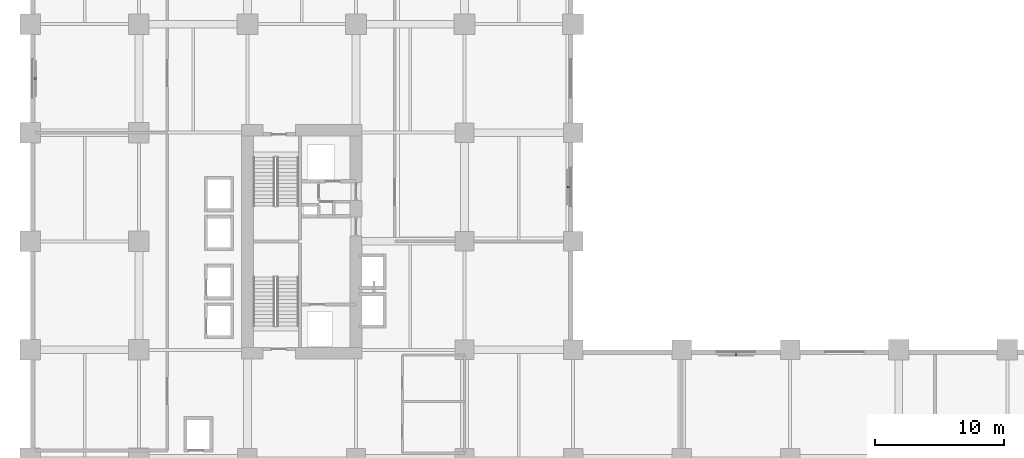
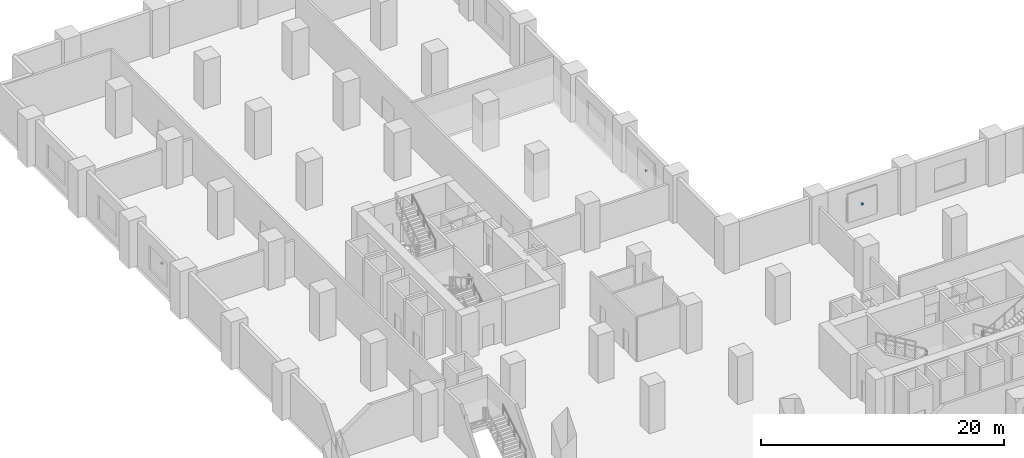
# One storey, part 16 of 22: 3 discrete accessories.
"""IFC4 building model written with IfcOpenShell, lengths in metres."""

from ifc_helpers import new_model, si_unit, direction, frame, origin, origin_2d, place, context, subcontext, project, spatial, rectangle, extrude, material, type_object, element, save


model = new_model("IFC4")

# Units and contexts
model_context = context("Model", 3, precision=1e-05, world=origin(), true_north=direction((0.0, 1.0)))
body_context = subcontext(model_context, "Body", "Model", "MODEL_VIEW")
ifc_project = project(units=[si_unit("LENGTHUNIT", "METRE"), si_unit("AREAUNIT", "SQUARE_METRE"), si_unit("VOLUMEUNIT", "CUBIC_METRE"), si_unit("PLANEANGLEUNIT", "RADIAN"), si_unit("MASSUNIT", "GRAM", prefix="KILO")], contexts=[model_context])

# Site, building, storey
site_placement = place(None, origin())
site = spatial("IfcSite", under=ifc_project, at=site_placement, CompositionType="ELEMENT")
building_placement = place(site_placement, origin())
building = spatial("IfcBuilding", under=site, at=building_placement, Name="Koriwani Terraces Tower", CompositionType="ELEMENT")
storey_placement = place(building_placement, frame((0.0, 0.0, 10.800048828125)))
storey = spatial("IfcBuildingStorey", under=building, at=storey_placement, Name="L02", CompositionType="ELEMENT", Elevation=10.800048828125)

# Discrete accessories
ifc_material = material(Name="Steel ASTM A572 Grade 50", Category="steel")
discrete_accessory_type = type_object("IfcDiscreteAccessoryType", Name="BAGUETTE_STANDOFF_BRACKET", PredefinedType="BRACKET", material=ifc_material)
for number, where, z_axis, x_axis, name in (
    (1, (0.389892578125, 63.0, 2.134765625), (0.0, 0.0, 1.0), (0.0, 1.0, 0.0), "L02 Terracotta Baguette Bracket (W-21)"),
    (2, (41.610107421875, 54.60009765625, 2.134765625), (0.0, 0.0, 1.0), (0.0, -1.0, 0.0), "L02 Terracotta Baguette Bracket (NW_IN-5)"),
    (3, (54.60009765625, 41.610107421875, 2.134765625), (0.0, 0.0, 1.0), (1.0, 0.0, 0.0), "L02 Terracotta Baguette Bracket (NE-5)"),
):
    element("IfcDiscreteAccessory", number, at=place(storey_placement, frame(where, z_axis=z_axis, x_axis=x_axis)), inside=storey, type_object=discrete_accessory_type, Name=name, PredefinedType="BRACKET", context=body_context, shape_type="SweptSolid", body=[
        extrude(rectangle(XDim=0.159912109375, YDim=0.199951171875, at=origin_2d()), origin(), (0.0, 0.0, 1.0), 0.179931640625),
    ])

save(model, "model.ifc")
